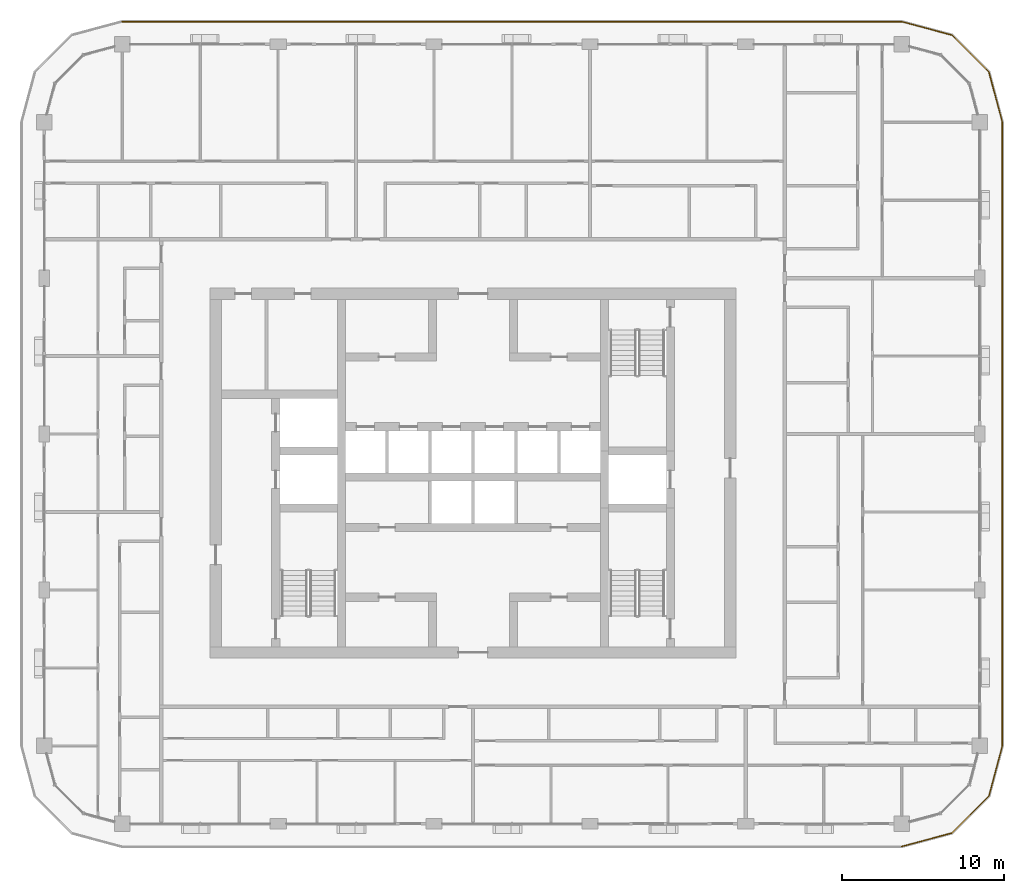
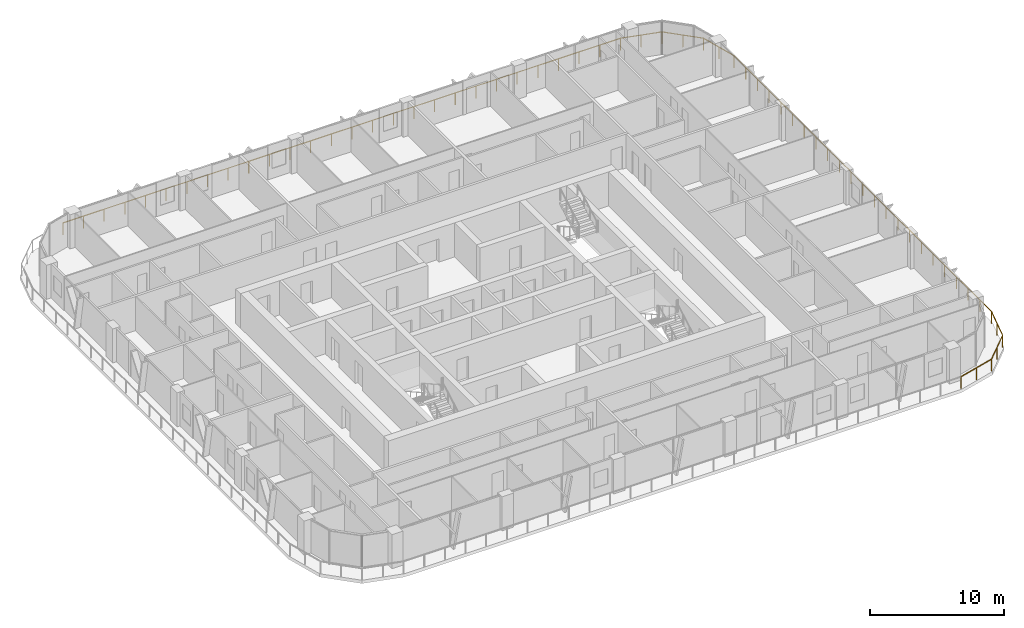
# One storey, part 20 of 22: 1 railing.
"""IFC4 building model written with IfcOpenShell, lengths in metres."""

from ifc_helpers import new_model, si_unit, direction, frame, origin, origin_2d, place, context, subcontext, project, spatial, circle, extrude, material, type_object, element, save


model = new_model("IFC4")

# Units and contexts
model_context = context("Model", 3, precision=1e-05, world=origin(), true_north=direction((0.0, 1.0)))
body_context = subcontext(model_context, "Body", "Model", "MODEL_VIEW")
ifc_project = project(units=[si_unit("LENGTHUNIT", "METRE"), si_unit("AREAUNIT", "SQUARE_METRE"), si_unit("VOLUMEUNIT", "CUBIC_METRE"), si_unit("PLANEANGLEUNIT", "RADIAN"), si_unit("MASSUNIT", "GRAM", prefix="KILO")], contexts=[model_context])

# Site, building, storey
site_placement = place(None, origin())
site = spatial("IfcSite", under=ifc_project, at=site_placement, CompositionType="ELEMENT")
building_placement = place(site_placement, origin())
building = spatial("IfcBuilding", under=site, at=building_placement, Name="Madar Terraces", CompositionType="ELEMENT")
storey_placement = place(building_placement, frame((0.0, 0.0, 229.800048828125)))
storey = spatial("IfcBuildingStorey", under=building, at=storey_placement, Name="L60", CompositionType="ELEMENT", Elevation=229.800048828125)

# Railing
ifc_material = material(Name="Glass, safety glazing, with stainless steel posts", Category="steel")
railing_type = type_object("IfcRailingType", Name="Balcony glass guard 1100", PredefinedType="GUARDRAIL", material=ifc_material)
railing_placement = place(storey_placement, frame((57.60009765625, 3.39990234375, 0.0)))
element("IfcRailing", 1, at=railing_placement, inside=storey, type_object=railing_type, Name="Balcony guard", PredefinedType="GUARDRAIL", context=body_context, shape_type="SweptSolid", body=[
    extrude(circle(Radius=0.02392578125, at=origin_2d()), frame((0.0, 0.0, 1.076171875), z_axis=(0.965909675762, 0.25887931217, 0.0), x_axis=(-0.25887931217, 0.965909675762, 0.0)), (0.0, 0.0, 1.0), 3.209228515625),
    extrude(circle(Radius=0.02392578125, at=origin_2d()), frame((3.099853515625, 0.830810546875, 1.076171875), z_axis=(0.707144815061, 0.707068745266, 0.0), x_axis=(-0.707068745266, 0.707144815061, 0.0)), (0.0, 0.0, 1.0), 3.20947265625),
    extrude(circle(Radius=0.02392578125, at=origin_2d()), frame((5.369384765625, 3.10009765625, 1.076171875), z_axis=(0.258789317819, 0.9659337912, 0.0), x_axis=(-0.9659337912, 0.258789317819, 0.0)), (0.0, 0.0, 1.0), 3.20947265625),
    extrude(circle(Radius=0.02392578125, at=origin_2d()), frame((6.199951171875, 6.2001953125, 1.076171875), z_axis=(0.0, 1.0, 0.0), x_axis=(-1.0, 0.0, 0.0)), (0.0, 0.0, 1.0), 38.39990234375),
    extrude(circle(Radius=0.02392578125, at=origin_2d()), frame((6.199951171875, 44.60009765625, 1.076171875), z_axis=(-0.258789317819, 0.9659337912, 0.0), x_axis=(-0.9659337912, -0.258789317819, 0.0)), (0.0, 0.0, 1.0), 3.20947265625),
    extrude(circle(Radius=0.02392578125, at=origin_2d()), frame((5.369384765625, 47.7001953125, 1.076171875), z_axis=(-0.707144815061, 0.707068745266, 0.0), x_axis=(-0.707068745266, -0.707144815061, 0.0)), (0.0, 0.0, 1.0), 3.20947265625),
    extrude(circle(Radius=0.02392578125, at=origin_2d()), frame((3.099853515625, 49.969482421875, 1.076171875), z_axis=(-0.965928696102, 0.258808334578, 0.0), x_axis=(-0.258808334578, -0.965928696102, 0.0)), (0.0, 0.0, 1.0), 3.209228515625),
    extrude(circle(Radius=0.02392578125, at=origin_2d()), frame((0.0, 50.800048828125, 1.076171875), z_axis=(-1.0, 0.0, 0.0), x_axis=(0.0, -1.0, 0.0)), (0.0, 0.0, 1.0), 48.0),
    extrude(circle(Radius=0.02099609375, at=origin_2d()), origin(), (0.0, 0.0, 1.0), 1.052001953125),
    extrude(circle(Radius=0.02099609375, at=origin_2d()), frame((1.5498046875, 0.41552734375, 0.0)), (0.0, 0.0, 1.0), 1.052001953125),
    extrude(circle(Radius=0.02099609375, at=origin_2d()), frame((3.099853515625, 0.830810546875, 0.0)), (0.0, 0.0, 1.0), 1.052001953125),
    extrude(circle(Radius=0.02099609375, at=origin_2d()), frame((4.234619140625, 1.96533203125, 0.0)), (0.0, 0.0, 1.0), 1.052001953125),
    extrude(circle(Radius=0.02099609375, at=origin_2d()), frame((5.369384765625, 3.10009765625, 0.0)), (0.0, 0.0, 1.0), 1.052001953125),
    extrude(circle(Radius=0.02099609375, at=origin_2d()), frame((5.78466796875, 4.650146484375, 0.0)), (0.0, 0.0, 1.0), 1.052001953125),
    extrude(circle(Radius=0.02099609375, at=origin_2d()), frame((6.199951171875, 6.2001953125, 0.0)), (0.0, 0.0, 1.0), 1.052001953125),
    extrude(circle(Radius=0.02099609375, at=origin_2d()), frame((6.199951171875, 7.945556640625, 0.0)), (0.0, 0.0, 1.0), 1.052001953125),
    extrude(circle(Radius=0.02099609375, at=origin_2d()), frame((6.199951171875, 9.691162109375, 0.0)), (0.0, 0.0, 1.0), 1.052001953125),
    extrude(circle(Radius=0.02099609375, at=origin_2d()), frame((6.199951171875, 11.4365234375, 0.0)), (0.0, 0.0, 1.0), 1.052001953125),
    extrude(circle(Radius=0.02099609375, at=origin_2d()), frame((6.199951171875, 13.181884765625, 0.0)), (0.0, 0.0, 1.0), 1.052001953125),
    extrude(circle(Radius=0.02099609375, at=origin_2d()), frame((6.199951171875, 14.927490234375, 0.0)), (0.0, 0.0, 1.0), 1.052001953125),
    extrude(circle(Radius=0.02099609375, at=origin_2d()), frame((6.199951171875, 16.6728515625, 0.0)), (0.0, 0.0, 1.0), 1.052001953125),
    extrude(circle(Radius=0.02099609375, at=origin_2d()), frame((6.199951171875, 18.41845703125, 0.0)), (0.0, 0.0, 1.0), 1.052001953125),
    extrude(circle(Radius=0.02099609375, at=origin_2d()), frame((6.199951171875, 20.163818359375, 0.0)), (0.0, 0.0, 1.0), 1.052001953125),
    extrude(circle(Radius=0.02099609375, at=origin_2d()), frame((6.199951171875, 21.9091796875, 0.0)), (0.0, 0.0, 1.0), 1.052001953125),
    extrude(circle(Radius=0.02099609375, at=origin_2d()), frame((6.199951171875, 23.65478515625, 0.0)), (0.0, 0.0, 1.0), 1.052001953125),
    extrude(circle(Radius=0.02099609375, at=origin_2d()), frame((6.199951171875, 25.400146484375, 0.0)), (0.0, 0.0, 1.0), 1.052001953125),
    extrude(circle(Radius=0.02099609375, at=origin_2d()), frame((6.199951171875, 27.1455078125, 0.0)), (0.0, 0.0, 1.0), 1.052001953125),
    extrude(circle(Radius=0.02099609375, at=origin_2d()), frame((6.199951171875, 28.89111328125, 0.0)), (0.0, 0.0, 1.0), 1.052001953125),
    extrude(circle(Radius=0.02099609375, at=origin_2d()), frame((6.199951171875, 30.636474609375, 0.0)), (0.0, 0.0, 1.0), 1.052001953125),
    extrude(circle(Radius=0.02099609375, at=origin_2d()), frame((6.199951171875, 32.3818359375, 0.0)), (0.0, 0.0, 1.0), 1.052001953125),
    extrude(circle(Radius=0.02099609375, at=origin_2d()), frame((6.199951171875, 34.12744140625, 0.0)), (0.0, 0.0, 1.0), 1.052001953125),
    extrude(circle(Radius=0.02099609375, at=origin_2d()), frame((6.199951171875, 35.872802734375, 0.0)), (0.0, 0.0, 1.0), 1.052001953125),
    extrude(circle(Radius=0.02099609375, at=origin_2d()), frame((6.199951171875, 37.618408203125, 0.0)), (0.0, 0.0, 1.0), 1.052001953125),
    extrude(circle(Radius=0.02099609375, at=origin_2d()), frame((6.199951171875, 39.36376953125, 0.0)), (0.0, 0.0, 1.0), 1.052001953125),
    extrude(circle(Radius=0.02099609375, at=origin_2d()), frame((6.199951171875, 41.109130859375, 0.0)), (0.0, 0.0, 1.0), 1.052001953125),
    extrude(circle(Radius=0.02099609375, at=origin_2d()), frame((6.199951171875, 42.854736328125, 0.0)), (0.0, 0.0, 1.0), 1.052001953125),
    extrude(circle(Radius=0.02099609375, at=origin_2d()), frame((6.199951171875, 44.60009765625, 0.0)), (0.0, 0.0, 1.0), 1.052001953125),
    extrude(circle(Radius=0.02099609375, at=origin_2d()), frame((5.78466796875, 46.150146484375, 0.0)), (0.0, 0.0, 1.0), 1.052001953125),
    extrude(circle(Radius=0.02099609375, at=origin_2d()), frame((5.369384765625, 47.7001953125, 0.0)), (0.0, 0.0, 1.0), 1.052001953125),
    extrude(circle(Radius=0.02099609375, at=origin_2d()), frame((4.234619140625, 48.8349609375, 0.0)), (0.0, 0.0, 1.0), 1.052001953125),
    extrude(circle(Radius=0.02099609375, at=origin_2d()), frame((3.099853515625, 49.969482421875, 0.0)), (0.0, 0.0, 1.0), 1.052001953125),
    extrude(circle(Radius=0.02099609375, at=origin_2d()), frame((1.5498046875, 50.384765625, 0.0)), (0.0, 0.0, 1.0), 1.052001953125),
    extrude(circle(Radius=0.02099609375, at=origin_2d()), frame((0.0, 50.800048828125, 0.0)), (0.0, 0.0, 1.0), 1.052001953125),
    extrude(circle(Radius=0.02099609375, at=origin_2d()), frame((-1.77783203125, 50.800048828125, 0.0)), (0.0, 0.0, 1.0), 1.052001953125),
    extrude(circle(Radius=0.02099609375, at=origin_2d()), frame((-3.5556640625, 50.800048828125, 0.0)), (0.0, 0.0, 1.0), 1.052001953125),
    extrude(circle(Radius=0.02099609375, at=origin_2d()), frame((-5.333251953125, 50.800048828125, 0.0)), (0.0, 0.0, 1.0), 1.052001953125),
    extrude(circle(Radius=0.02099609375, at=origin_2d()), frame((-7.111083984375, 50.800048828125, 0.0)), (0.0, 0.0, 1.0), 1.052001953125),
    extrude(circle(Radius=0.02099609375, at=origin_2d()), frame((-8.888916015625, 50.800048828125, 0.0)), (0.0, 0.0, 1.0), 1.052001953125),
    extrude(circle(Radius=0.02099609375, at=origin_2d()), frame((-10.666748046875, 50.800048828125, 0.0)), (0.0, 0.0, 1.0), 1.052001953125),
    extrude(circle(Radius=0.02099609375, at=origin_2d()), frame((-12.4443359375, 50.800048828125, 0.0)), (0.0, 0.0, 1.0), 1.052001953125),
    extrude(circle(Radius=0.02099609375, at=origin_2d()), frame((-14.22216796875, 50.800048828125, 0.0)), (0.0, 0.0, 1.0), 1.052001953125),
    extrude(circle(Radius=0.02099609375, at=origin_2d()), frame((-16.0, 50.800048828125, 0.0)), (0.0, 0.0, 1.0), 1.052001953125),
    extrude(circle(Radius=0.02099609375, at=origin_2d()), frame((-17.77783203125, 50.800048828125, 0.0)), (0.0, 0.0, 1.0), 1.052001953125),
    extrude(circle(Radius=0.02099609375, at=origin_2d()), frame((-19.5556640625, 50.800048828125, 0.0)), (0.0, 0.0, 1.0), 1.052001953125),
    extrude(circle(Radius=0.02099609375, at=origin_2d()), frame((-21.333251953125, 50.800048828125, 0.0)), (0.0, 0.0, 1.0), 1.052001953125),
    extrude(circle(Radius=0.02099609375, at=origin_2d()), frame((-23.111083984375, 50.800048828125, 0.0)), (0.0, 0.0, 1.0), 1.052001953125),
    extrude(circle(Radius=0.02099609375, at=origin_2d()), frame((-24.888916015625, 50.800048828125, 0.0)), (0.0, 0.0, 1.0), 1.052001953125),
    extrude(circle(Radius=0.02099609375, at=origin_2d()), frame((-26.666748046875, 50.800048828125, 0.0)), (0.0, 0.0, 1.0), 1.052001953125),
    extrude(circle(Radius=0.02099609375, at=origin_2d()), frame((-28.4443359375, 50.800048828125, 0.0)), (0.0, 0.0, 1.0), 1.052001953125),
    extrude(circle(Radius=0.02099609375, at=origin_2d()), frame((-30.22216796875, 50.800048828125, 0.0)), (0.0, 0.0, 1.0), 1.052001953125),
    extrude(circle(Radius=0.02099609375, at=origin_2d()), frame((-32.0, 50.800048828125, 0.0)), (0.0, 0.0, 1.0), 1.052001953125),
    extrude(circle(Radius=0.02099609375, at=origin_2d()), frame((-33.77783203125, 50.800048828125, 0.0)), (0.0, 0.0, 1.0), 1.052001953125),
    extrude(circle(Radius=0.02099609375, at=origin_2d()), frame((-35.5556640625, 50.800048828125, 0.0)), (0.0, 0.0, 1.0), 1.052001953125),
    extrude(circle(Radius=0.02099609375, at=origin_2d()), frame((-37.333251953125, 50.800048828125, 0.0)), (0.0, 0.0, 1.0), 1.052001953125),
    extrude(circle(Radius=0.02099609375, at=origin_2d()), frame((-39.111083984375, 50.800048828125, 0.0)), (0.0, 0.0, 1.0), 1.052001953125),
    extrude(circle(Radius=0.02099609375, at=origin_2d()), frame((-40.888916015625, 50.800048828125, 0.0)), (0.0, 0.0, 1.0), 1.052001953125),
    extrude(circle(Radius=0.02099609375, at=origin_2d()), frame((-42.666748046875, 50.800048828125, 0.0)), (0.0, 0.0, 1.0), 1.052001953125),
    extrude(circle(Radius=0.02099609375, at=origin_2d()), frame((-44.4443359375, 50.800048828125, 0.0)), (0.0, 0.0, 1.0), 1.052001953125),
    extrude(circle(Radius=0.02099609375, at=origin_2d()), frame((-46.22216796875, 50.800048828125, 0.0)), (0.0, 0.0, 1.0), 1.052001953125),
    extrude(circle(Radius=0.02099609375, at=origin_2d()), frame((-48.0, 50.800048828125, 0.0)), (0.0, 0.0, 1.0), 1.052001953125),
])

save(model, "model.ifc")
